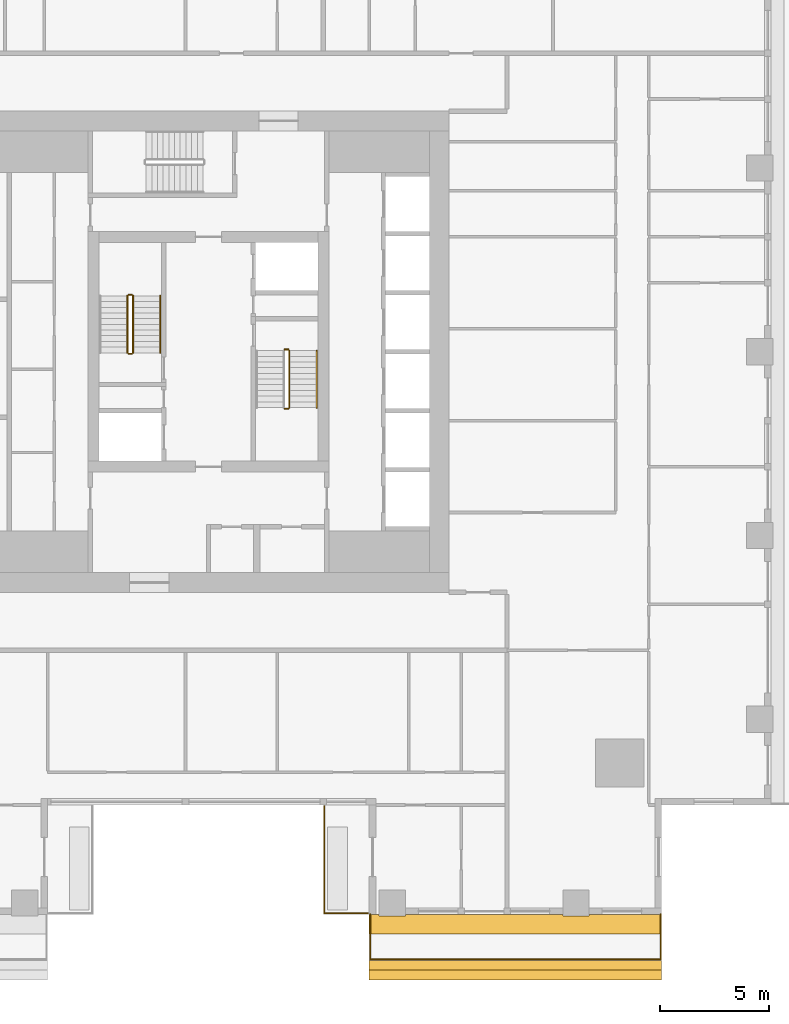
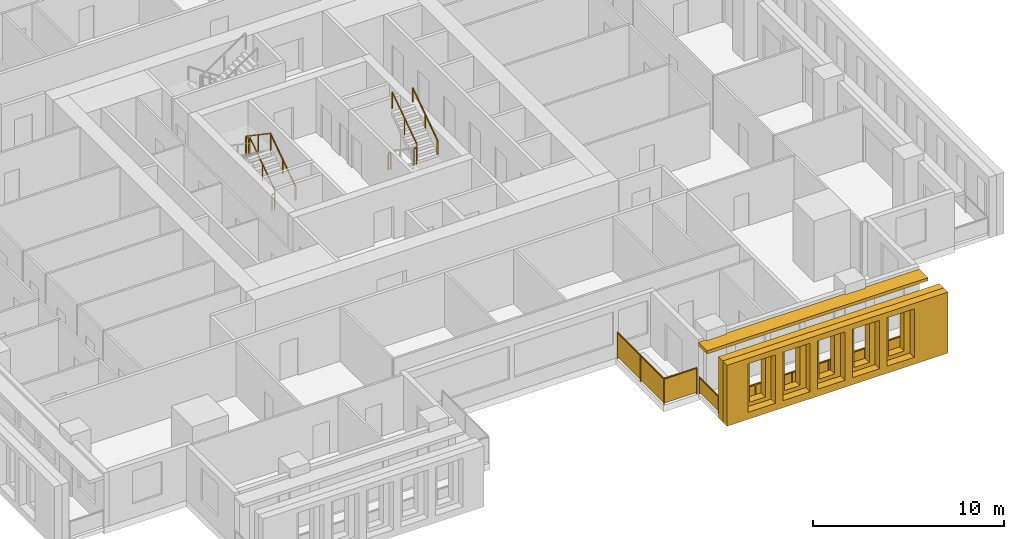
# One storey, part 12 of 15: 11 railings, 3 shading devices.
"""IFC4 building model written with IfcOpenShell, lengths in metres."""

from ifc_helpers import new_model, si_unit, direction, frame, origin, origin_2d, place, context, subcontext, project, spatial, polyline, rectangle, outline, extrude, material, layer, layer_set, type_object, element, save


model = new_model("IFC4")

# Units and contexts
model_context = context("Model", 3, precision=1e-05, world=origin(), true_north=direction((0.0, 1.0)))
body_context = subcontext(model_context, "Body", "Model", "MODEL_VIEW")
ifc_project = project(units=[si_unit("LENGTHUNIT", "METRE"), si_unit("AREAUNIT", "SQUARE_METRE"), si_unit("VOLUMEUNIT", "CUBIC_METRE"), si_unit("PLANEANGLEUNIT", "RADIAN"), si_unit("MASSUNIT", "GRAM", prefix="KILO")], contexts=[model_context])

# Site, building, storey
site_placement = place(None, origin())
site = spatial("IfcSite", under=ifc_project, at=site_placement, CompositionType="ELEMENT")
building_placement = place(site_placement, origin())
building = spatial("IfcBuilding", under=site, at=building_placement, Name="Khepri Terraces", CompositionType="ELEMENT")
storey_placement = place(building_placement, frame((0.0, 0.0, 256.199951171875)))
storey = spatial("IfcBuildingStorey", under=building, at=storey_placement, Name="L61", CompositionType="ELEMENT", Elevation=256.199951171875)

# Railings
ifc_material_1 = material(Name="Stainless steel grade 316", Category="steel")
railing_type_1 = type_object("IfcRailingType", Name="GRD-BAL-1100", PredefinedType="GUARDRAIL", material=ifc_material_1)
railing_1_placement = place(storey_placement, frame((7.39990234375, -25.719970703125, 0.0)))
element("IfcRailing", 1, at=railing_1_placement, inside=storey, type_object=railing_type_1, Name="Balcony guard L61 S", PredefinedType="GUARDRAIL", context=body_context, shape_type="SweptSolid", body=[
    extrude(rectangle(XDim=0.050048828125, YDim=0.06005859375, at=origin_2d()), frame((0.0, 0.0, 1.070068359375), z_axis=(0.0, -1.0, 0.0), x_axis=(1.0, 0.0, 0.0)), (0.0, 0.0, 1.0), 2.050048828125),
    extrude(rectangle(XDim=2.0, YDim=0.011962890625, at=origin_2d()), frame((0.0, -1.02490234375, 0.10009765625), z_axis=(0.0, 0.0, 1.0), x_axis=(0.0, -1.0, 0.0)), (0.0, 0.0, 1.0), 0.93994140625),
    extrude(rectangle(XDim=0.050048828125, YDim=0.06005859375, at=origin_2d()), frame((0.0, -2.050048828125, 1.070068359375), z_axis=(1.0, 0.0, 0.0), x_axis=(0.0, 1.0, 0.0)), (0.0, 0.0, 1.0), 13.27001953125),
    extrude(rectangle(XDim=2.16162109375, YDim=0.011962890625, at=origin_2d()), frame((1.10595703125, -2.050048828125, 0.10009765625), z_axis=(0.0, 0.0, 1.0), x_axis=(1.0, 0.0, 0.0)), (0.0, 0.0, 1.0), 0.93994140625),
    extrude(rectangle(XDim=2.16162109375, YDim=0.011962890625, at=origin_2d()), frame((3.3173828125, -2.050048828125, 0.10009765625), z_axis=(0.0, 0.0, 1.0), x_axis=(1.0, 0.0, 0.0)), (0.0, 0.0, 1.0), 0.93994140625),
    extrude(rectangle(XDim=2.16162109375, YDim=0.011962890625, at=origin_2d()), frame((5.529296875, -2.050048828125, 0.10009765625), z_axis=(0.0, 0.0, 1.0), x_axis=(1.0, 0.0, 0.0)), (0.0, 0.0, 1.0), 0.93994140625),
    extrude(rectangle(XDim=2.16162109375, YDim=0.011962890625, at=origin_2d()), frame((7.740966796875, -2.050048828125, 0.10009765625), z_axis=(0.0, 0.0, 1.0), x_axis=(1.0, 0.0, 0.0)), (0.0, 0.0, 1.0), 0.93994140625),
    extrude(rectangle(XDim=2.16162109375, YDim=0.011962890625, at=origin_2d()), frame((9.95263671875, -2.050048828125, 0.10009765625), z_axis=(0.0, 0.0, 1.0), x_axis=(1.0, 0.0, 0.0)), (0.0, 0.0, 1.0), 0.93994140625),
    extrude(rectangle(XDim=2.16162109375, YDim=0.011962890625, at=origin_2d()), frame((12.1640625, -2.050048828125, 0.10009765625), z_axis=(0.0, 0.0, 1.0), x_axis=(1.0, 0.0, 0.0)), (0.0, 0.0, 1.0), 0.93994140625),
    extrude(rectangle(XDim=0.050048828125, YDim=0.06005859375, at=origin_2d()), frame((13.27001953125, -2.050048828125, 1.070068359375), z_axis=(0.0, 1.0, 0.0), x_axis=(-1.0, 0.0, 0.0)), (0.0, 0.0, 1.0), 2.050048828125),
    extrude(rectangle(XDim=2.0, YDim=0.011962890625, at=origin_2d()), frame((13.27001953125, -1.02490234375, 0.10009765625), z_axis=(0.0, 0.0, 1.0), x_axis=(0.0, 1.0, 0.0)), (0.0, 0.0, 1.0), 0.93994140625),
    extrude(rectangle(XDim=0.050048828125, YDim=0.050048828125, at=origin_2d()), origin(), (0.0, 0.0, 1.0), 1.0400390625),
    extrude(rectangle(XDim=0.050048828125, YDim=0.050048828125, at=origin_2d()), frame((0.0, -2.050048828125, 0.0)), (0.0, 0.0, 1.0), 1.0400390625),
    extrude(rectangle(XDim=0.050048828125, YDim=0.050048828125, at=origin_2d()), frame((2.211669921875, -2.050048828125, 0.0)), (0.0, 0.0, 1.0), 1.0400390625),
    extrude(rectangle(XDim=0.050048828125, YDim=0.050048828125, at=origin_2d()), frame((4.42333984375, -2.050048828125, 0.0)), (0.0, 0.0, 1.0), 1.0400390625),
    extrude(rectangle(XDim=0.050048828125, YDim=0.050048828125, at=origin_2d()), frame((6.635009765625, -2.050048828125, 0.0)), (0.0, 0.0, 1.0), 1.0400390625),
    extrude(rectangle(XDim=0.050048828125, YDim=0.050048828125, at=origin_2d()), frame((8.8466796875, -2.050048828125, 0.0)), (0.0, 0.0, 1.0), 1.0400390625),
    extrude(rectangle(XDim=0.050048828125, YDim=0.050048828125, at=origin_2d()), frame((11.058349609375, -2.050048828125, 0.0)), (0.0, 0.0, 1.0), 1.0400390625),
    extrude(rectangle(XDim=0.050048828125, YDim=0.050048828125, at=origin_2d()), frame((13.27001953125, -2.050048828125, 0.0)), (0.0, 0.0, 1.0), 1.0400390625),
    extrude(rectangle(XDim=0.050048828125, YDim=0.050048828125, at=origin_2d()), frame((13.27001953125, 0.0, 0.0)), (0.0, 0.0, 1.0), 1.0400390625),
])
railing_type_2 = type_object("IfcRailingType", Name="GRD-TERR-1700", PredefinedType="GUARDRAIL", material=ifc_material_1)
railing_2_placement = place(storey_placement, frame((7.280029296875, -25.669921875, 0.0)))
element("IfcRailing", 2, at=railing_2_placement, inside=storey, type_object=railing_type_2, Name="Terrace guard L61", PredefinedType="GUARDRAIL", context=body_context, shape_type="SweptSolid", body=[
    extrude(rectangle(XDim=0.050048828125, YDim=0.06005859375, at=origin_2d()), frame((0.0, 0.0, 1.669921875), z_axis=(-1.0, 0.0, 0.0), x_axis=(0.0, -1.0, 0.0)), (0.0, 0.0, 1.0), 1.97998046875),
    extrude(rectangle(XDim=1.929931640625, YDim=0.011962890625, at=origin_2d()), frame((-0.989990234375, 0.0, 0.10009765625), z_axis=(0.0, 0.0, 1.0), x_axis=(-1.0, 0.0, 0.0)), (0.0, 0.0, 1.0), 1.539794921875),
    extrude(rectangle(XDim=0.050048828125, YDim=0.06005859375, at=origin_2d()), frame((-1.97998046875, 0.0, 1.669921875), z_axis=(0.0, 1.0, 0.0), x_axis=(-1.0, 0.0, 0.0)), (0.0, 0.0, 1.0), 4.8798828125),
    extrude(rectangle(XDim=2.389892578125, YDim=0.011962890625, at=origin_2d()), frame((-1.97998046875, 1.219970703125, 0.10009765625), z_axis=(0.0, 0.0, 1.0), x_axis=(0.0, 1.0, 0.0)), (0.0, 0.0, 1.0), 1.539794921875),
    extrude(rectangle(XDim=2.389892578125, YDim=0.011962890625, at=origin_2d()), frame((-1.97998046875, 3.659912109375, 0.10009765625), z_axis=(0.0, 0.0, 1.0), x_axis=(0.0, 1.0, 0.0)), (0.0, 0.0, 1.0), 1.539794921875),
    extrude(rectangle(XDim=0.050048828125, YDim=0.050048828125, at=origin_2d()), origin(), (0.0, 0.0, 1.0), 1.639892578125),
    extrude(rectangle(XDim=0.050048828125, YDim=0.050048828125, at=origin_2d()), frame((-1.97998046875, 0.0, 0.0)), (0.0, 0.0, 1.0), 1.639892578125),
    extrude(rectangle(XDim=0.050048828125, YDim=0.050048828125, at=origin_2d()), frame((-1.97998046875, 2.43994140625, 0.0)), (0.0, 0.0, 1.0), 1.639892578125),
    extrude(rectangle(XDim=0.050048828125, YDim=0.050048828125, at=origin_2d()), frame((-1.97998046875, 4.8798828125, 0.0)), (0.0, 0.0, 1.0), 1.639892578125),
])
ifc_material_2 = material(Name="Stainless steel 316", Category="steel")
railing_type_3 = type_object("IfcRailingType", Name="RL-CORE-GUARD", PredefinedType="GUARDRAIL", material=ifc_material_2)
railing_3_placement = place(storey_placement, frame((-3.449951171875, -0.050048828125, 0.17724609375)))
element("IfcRailing", 3, at=railing_3_placement, inside=storey, type_object=railing_type_3, Name="L61 ST-1 stair guard 1", PredefinedType="GUARDRAIL", context=body_context, shape_type="SweptSolid", body=[
    extrude(rectangle(XDim=0.050048828125, YDim=0.06005859375, at=origin_2d()), frame((0.0, 0.0, 1.070068359375), z_axis=(0.0, 0.826240473404, 0.563317565952), x_axis=(-1.0, 0.0, 0.0)), (0.0, 0.0, 1.0), 3.14697265625),
    extrude(rectangle(XDim=0.050048828125, YDim=0.050048828125, at=origin_2d()), origin(), (0.0, 0.0, 1.0), 1.0400390625),
    extrude(rectangle(XDim=0.050048828125, YDim=0.050048828125, at=origin_2d()), frame((0.0, 1.300048828125, 0.88623046875)), (0.0, 0.0, 1.0), 1.0400390625),
    extrude(rectangle(XDim=0.050048828125, YDim=0.050048828125, at=origin_2d()), frame((0.0, 2.60009765625, 1.772705078125)), (0.0, 0.0, 1.0), 1.0400390625),
])
railing_4_placement = place(storey_placement, frame((-3.5, 2.60009765625, 1.949951171875)))
element("IfcRailing", 4, at=railing_4_placement, inside=storey, type_object=railing_type_3, Name="L61 ST-1 stair guard 2", PredefinedType="GUARDRAIL", context=body_context, shape_type="SweptSolid", body=[
    extrude(rectangle(XDim=0.050048828125, YDim=0.06005859375, at=origin_2d()), frame((0.0, 0.0, 1.070068359375), z_axis=(-1.0, 0.0, 0.0), x_axis=(0.0, -1.0, 0.0)), (0.0, 0.0, 1.0), 0.14990234375),
    extrude(rectangle(XDim=0.050048828125, YDim=0.050048828125, at=origin_2d()), origin(), (0.0, 0.0, 1.0), 1.0400390625),
    extrude(rectangle(XDim=0.050048828125, YDim=0.050048828125, at=origin_2d()), frame((-0.14990234375, 0.0, 0.0)), (0.0, 0.0, 1.0), 1.0400390625),
])
railing_5_placement = place(storey_placement, frame((-3.699951171875, 2.550048828125, 2.12744140625)))
element("IfcRailing", 5, at=railing_5_placement, inside=storey, type_object=railing_type_3, Name="L61 ST-1 stair guard 3", PredefinedType="GUARDRAIL", context=body_context, shape_type="SweptSolid", body=[
    extrude(rectangle(XDim=0.050048828125, YDim=0.06005859375, at=origin_2d()), frame((0.0, 0.0, 1.070068359375), z_axis=(0.0, -0.826240473404, 0.563317565952), x_axis=(1.0, 0.0, 0.0)), (0.0, 0.0, 1.0), 3.14697265625),
    extrude(rectangle(XDim=0.050048828125, YDim=0.050048828125, at=origin_2d()), origin(), (0.0, 0.0, 1.0), 1.0400390625),
    extrude(rectangle(XDim=0.050048828125, YDim=0.050048828125, at=origin_2d()), frame((0.0, -1.300048828125, 0.88623046875)), (0.0, 0.0, 1.0), 1.0400390625),
    extrude(rectangle(XDim=0.050048828125, YDim=0.050048828125, at=origin_2d()), frame((0.0, -2.60009765625, 1.772705078125)), (0.0, 0.0, 1.0), 1.0400390625),
])
railing_6_placement = place(storey_placement, frame((-3.5, -0.10009765625, 0.0)))
element("IfcRailing", 6, at=railing_6_placement, inside=storey, type_object=railing_type_3, Name="L61 ST-1 stair guard 4", PredefinedType="GUARDRAIL", context=body_context, shape_type="SweptSolid", body=[
    extrude(rectangle(XDim=0.050048828125, YDim=0.06005859375, at=origin_2d()), frame((0.0, 0.0, 1.070068359375), z_axis=(-1.0, 0.0, 0.0), x_axis=(0.0, -1.0, 0.0)), (0.0, 0.0, 1.0), 0.14990234375),
    extrude(rectangle(XDim=0.050048828125, YDim=0.050048828125, at=origin_2d()), origin(), (0.0, 0.0, 1.0), 1.0400390625),
    extrude(rectangle(XDim=0.050048828125, YDim=0.050048828125, at=origin_2d()), frame((-0.14990234375, 0.0, 0.0)), (0.0, 0.0, 1.0), 1.0400390625),
])
railing_7_placement = place(storey_placement, frame((3.5, -2.60009765625, 1.949951171875)))
element("IfcRailing", 7, at=railing_7_placement, inside=storey, type_object=railing_type_3, Name="L61 ST-2 stair guard 2", PredefinedType="GUARDRAIL", context=body_context, shape_type="SweptSolid", body=[
    extrude(rectangle(XDim=0.050048828125, YDim=0.06005859375, at=origin_2d()), frame((0.0, 0.0, 1.070068359375), z_axis=(1.0, 0.0, 0.0), x_axis=(0.0, 1.0, 0.0)), (0.0, 0.0, 1.0), 0.14990234375),
    extrude(rectangle(XDim=0.050048828125, YDim=0.050048828125, at=origin_2d()), origin(), (0.0, 0.0, 1.0), 1.0400390625),
    extrude(rectangle(XDim=0.050048828125, YDim=0.050048828125, at=origin_2d()), frame((0.14990234375, 0.0, 0.0)), (0.0, 0.0, 1.0), 1.0400390625),
])
railing_8_placement = place(storey_placement, frame((3.699951171875, -2.550048828125, 2.12744140625)))
element("IfcRailing", 8, at=railing_8_placement, inside=storey, type_object=railing_type_3, Name="L61 ST-2 stair guard 3", PredefinedType="GUARDRAIL", context=body_context, shape_type="SweptSolid", body=[
    extrude(rectangle(XDim=0.050048828125, YDim=0.06005859375, at=origin_2d()), frame((0.0, 0.0, 1.070068359375), z_axis=(0.0, 0.826240473404, 0.563317565952), x_axis=(-1.0, 0.0, 0.0)), (0.0, 0.0, 1.0), 3.14697265625),
    extrude(rectangle(XDim=0.050048828125, YDim=0.050048828125, at=origin_2d()), origin(), (0.0, 0.0, 1.0), 1.0400390625),
    extrude(rectangle(XDim=0.050048828125, YDim=0.050048828125, at=origin_2d()), frame((0.0, 1.300048828125, 0.88623046875)), (0.0, 0.0, 1.0), 1.0400390625),
    extrude(rectangle(XDim=0.050048828125, YDim=0.050048828125, at=origin_2d()), frame((0.0, 2.60009765625, 1.772705078125)), (0.0, 0.0, 1.0), 1.0400390625),
])
railing_9_placement = place(storey_placement, frame((3.5, 0.10009765625, 0.0)))
element("IfcRailing", 9, at=railing_9_placement, inside=storey, type_object=railing_type_3, Name="L61 ST-2 stair guard 4", PredefinedType="GUARDRAIL", context=body_context, shape_type="SweptSolid", body=[
    extrude(rectangle(XDim=0.050048828125, YDim=0.06005859375, at=origin_2d()), frame((0.0, 0.0, 1.070068359375), z_axis=(1.0, 0.0, 0.0), x_axis=(0.0, 1.0, 0.0)), (0.0, 0.0, 1.0), 0.14990234375),
    extrude(rectangle(XDim=0.050048828125, YDim=0.050048828125, at=origin_2d()), origin(), (0.0, 0.0, 1.0), 1.0400390625),
    extrude(rectangle(XDim=0.050048828125, YDim=0.050048828125, at=origin_2d()), frame((0.14990234375, 0.0, 0.0)), (0.0, 0.0, 1.0), 1.0400390625),
])
railing_type_4 = type_object("IfcRailingType", Name="RL-CORE-HANDRAIL", PredefinedType="HANDRAIL", material=ifc_material_2)
for number, where, name in (
    (10, (-2.199951171875, -0.050048828125, 0.17724609375), "L61 ST-1 stair handrail 1"),
    (11, (4.949951171875, -2.550048828125, 2.12744140625), "L61 ST-2 stair handrail 2"),
):
    element("IfcRailing", number, at=place(storey_placement, frame(where)), inside=storey, type_object=railing_type_4, Name=name, PredefinedType="HANDRAIL", context=body_context, shape_type="SweptSolid", body=[
        extrude(rectangle(XDim=0.050048828125, YDim=0.050048828125, at=origin_2d()), frame((0.0, 0.0, 0.875), z_axis=(0.0, 0.826240473404, 0.563317565952), x_axis=(-1.0, 0.0, 0.0)), (0.0, 0.0, 1.0), 3.14697265625),
        extrude(rectangle(XDim=0.050048828125, YDim=0.050048828125, at=origin_2d()), origin(), (0.0, 0.0, 1.0), 0.849853515625),
        extrude(rectangle(XDim=0.050048828125, YDim=0.050048828125, at=origin_2d()), frame((0.0, 1.300048828125, 0.88623046875)), (0.0, 0.0, 1.0), 0.849853515625),
        extrude(rectangle(XDim=0.050048828125, YDim=0.050048828125, at=origin_2d()), frame((0.0, 2.60009765625, 1.772705078125)), (0.0, 0.0, 1.0), 0.849853515625),
    ])

# Shading devices
ifc_material_3 = material(Name="Precast concrete C50/60 warm stone", Category="masonry")
shading_device_type_1 = type_object("IfcShadingDeviceType", Name="SCR-CELL-INNER-450", PredefinedType="USERDEFINED", material=ifc_material_3)
shading_device_1_placement = place(storey_placement, frame((7.35009765625, -27.820068359375, -0.25), z_axis=(0.0, -1.0, 0.0), x_axis=(1.0, 0.0, 0.0)))
element("IfcShadingDevice", 12, at=shading_device_1_placement, inside=storey, type_object=shading_device_type_1, Name="Cell screen L61 S in", ObjectType="SCREEN", PredefinedType="USERDEFINED", context=body_context, shape_type="SweptSolid", body=[
    extrude(outline(polyline([(0.0, 0.0), (13.3701171875, 0.0), (13.3701171875, 3.89990234375), (0.0, 3.89990234375), (0.0, 0.0)]), holes=[polyline([(1.62744140625, 0.699951171875), (2.572509765625, 0.699951171875), (2.572509765625, 3.300048828125), (1.62744140625, 3.300048828125), (1.62744140625, 0.699951171875)]), polyline([(3.7275390625, 0.699951171875), (4.672607421875, 0.699951171875), (4.672607421875, 3.300048828125), (3.7275390625, 3.300048828125), (3.7275390625, 0.699951171875)]), polyline([(5.827392578125, 0.699951171875), (6.7724609375, 0.699951171875), (6.7724609375, 3.300048828125), (5.827392578125, 3.300048828125), (5.827392578125, 0.699951171875)]), polyline([(7.927490234375, 0.699951171875), (8.87255859375, 0.699951171875), (8.87255859375, 3.300048828125), (7.927490234375, 3.300048828125), (7.927490234375, 0.699951171875)]), polyline([(10.027587890625, 0.699951171875), (10.972412109375, 0.699951171875), (10.972412109375, 3.300048828125), (10.027587890625, 3.300048828125), (10.027587890625, 0.699951171875)]), polyline([(12.12744140625, 0.699951171875), (13.072509765625, 0.699951171875), (13.072509765625, 3.300048828125), (12.12744140625, 3.300048828125), (12.12744140625, 0.699951171875)])]), origin(), (0.0, 0.0, 1.0), 0.449951171875),
])
shading_device_type_2 = type_object("IfcShadingDeviceType", Name="SCR-CELL-OUTER-450", PredefinedType="USERDEFINED", material=ifc_material_3)
shading_device_2_placement = place(storey_placement, frame((7.35009765625, -28.27001953125, -0.25), z_axis=(0.0, -1.0, 0.0), x_axis=(1.0, 0.0, 0.0)))
element("IfcShadingDevice", 13, at=shading_device_2_placement, inside=storey, type_object=shading_device_type_2, Name="Cell screen L61 S out", ObjectType="SCREEN", PredefinedType="USERDEFINED", context=body_context, shape_type="SweptSolid", body=[
    extrude(outline(polyline([(0.0, 0.0), (13.3701171875, 0.0), (13.3701171875, 3.89990234375), (0.0, 3.89990234375), (0.0, 0.0)]), holes=[polyline([(1.277587890625, 0.449951171875), (2.922607421875, 0.449951171875), (2.922607421875, 3.550048828125), (1.277587890625, 3.550048828125), (1.277587890625, 0.449951171875)]), polyline([(3.37744140625, 0.449951171875), (5.0224609375, 0.449951171875), (5.0224609375, 3.550048828125), (3.37744140625, 3.550048828125), (3.37744140625, 0.449951171875)]), polyline([(5.4775390625, 0.449951171875), (7.12255859375, 0.449951171875), (7.12255859375, 3.550048828125), (5.4775390625, 3.550048828125), (5.4775390625, 0.449951171875)]), polyline([(7.577392578125, 0.449951171875), (9.222412109375, 0.449951171875), (9.222412109375, 3.550048828125), (7.577392578125, 3.550048828125), (7.577392578125, 0.449951171875)]), polyline([(9.677490234375, 0.449951171875), (11.322509765625, 0.449951171875), (11.322509765625, 3.550048828125), (9.677490234375, 3.550048828125), (9.677490234375, 0.449951171875)])]), origin(), (0.0, 0.0, 1.0), 0.449951171875),
])
ifc_layer = layer(ifc_material_3, 0.199951171875, Name="Precast concrete C50/60 warm stone", Category="masonry")
ifc_layer_set = layer_set([ifc_layer], Name="Precast concrete C50/60 warm stone")
shading_device_type_3 = type_object("IfcShadingDeviceType", Name="SSH-BAND-STONE-200", PredefinedType="USERDEFINED", material=ifc_layer_set)
shading_device_3_placement = place(storey_placement, frame((0.0, 0.0, 3.10009765625)))
element("IfcShadingDevice", 14, at=shading_device_3_placement, inside=storey, type_object=shading_device_type_3, Name="Sunshade band L61 S", ObjectType="SUNSHADE", PredefinedType="USERDEFINED", context=body_context, shape_type="SweptSolid", body=[
    extrude(outline(polyline([(7.800048828125, -25.719970703125), (7.35009765625, -25.719970703125), (7.35009765625, -26.6201171875), (20.719970703125, -26.6201171875), (20.719970703125, -25.719970703125), (17.39990234375, -25.719970703125), (17.39990234375, -25.800048828125), (16.199951171875, -25.800048828125), (16.199951171875, -25.719970703125), (9.0, -25.719970703125), (9.0, -25.800048828125), (7.800048828125, -25.800048828125), (7.800048828125, -25.719970703125)])), origin(), (0.0, 0.0, 1.0), 0.199951171875),
])

save(model, "model.ifc")
